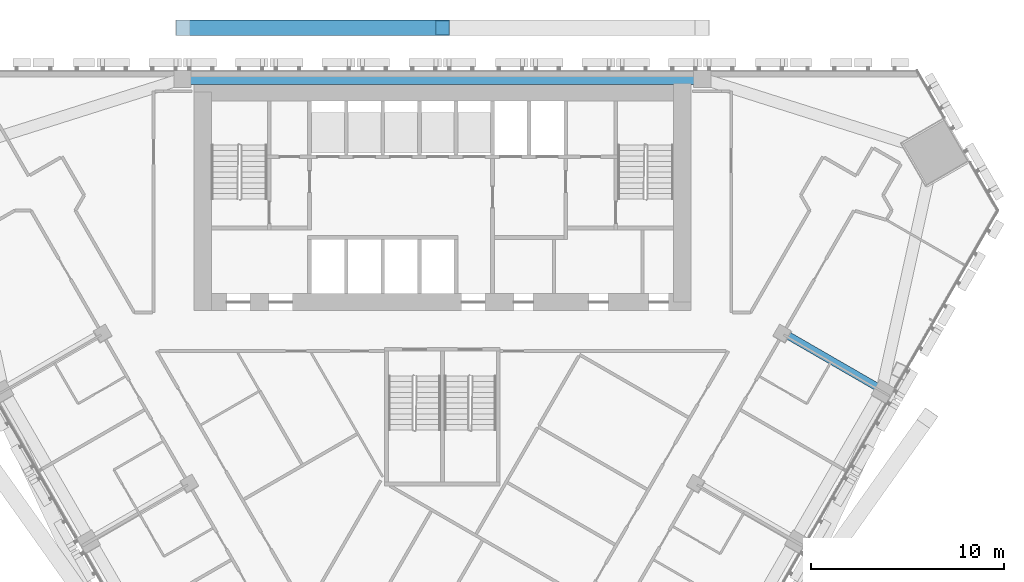
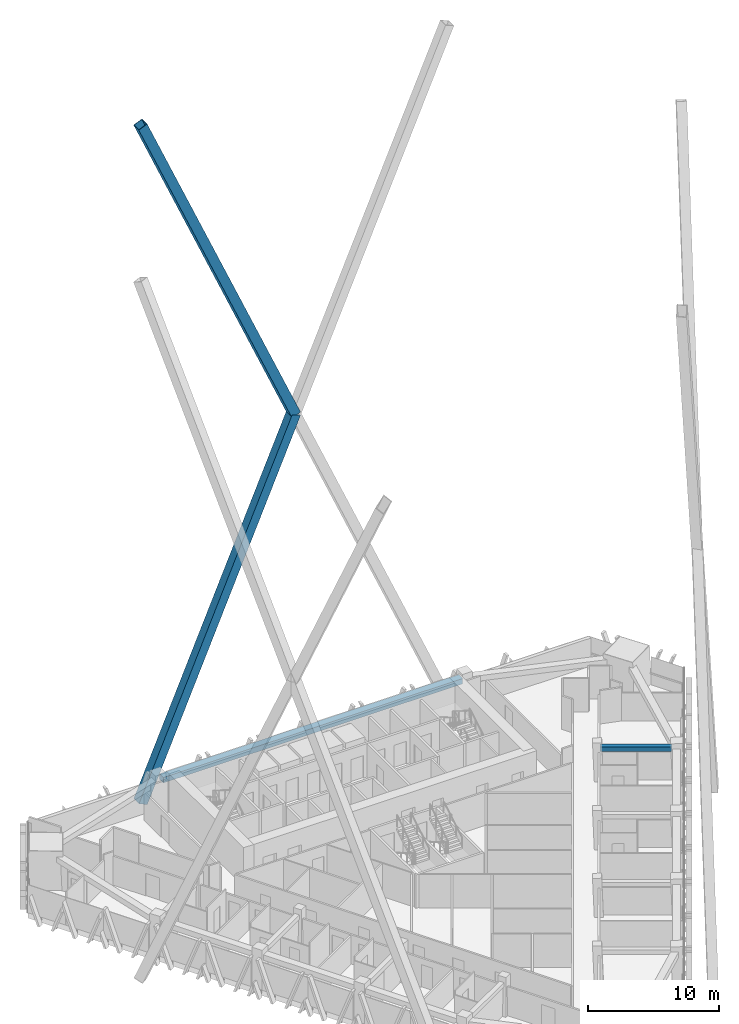
# One storey, part 13 of 23: 2 beams, 2 members.
"""IFC4 building model written with IfcOpenShell, lengths in metres."""

from ifc_helpers import new_model, si_unit, direction, frame, origin, origin_2d, place, context, subcontext, project, spatial, rectangle, hollow_rectangle, extrude, material, material_profile, profile_set, type_object, element, save


model = new_model("IFC4")

# Units and contexts
model_context = context("Model", 3, precision=1e-05, world=origin(), true_north=direction((0.0, 1.0)))
body_context = subcontext(model_context, "Body", "Model", "MODEL_VIEW")
ifc_project = project(units=[si_unit("LENGTHUNIT", "METRE"), si_unit("AREAUNIT", "SQUARE_METRE"), si_unit("VOLUMEUNIT", "CUBIC_METRE"), si_unit("PLANEANGLEUNIT", "RADIAN"), si_unit("MASSUNIT", "GRAM", prefix="KILO")], contexts=[model_context])

# Site, building, storey
site_placement = place(None, origin())
site = spatial("IfcSite", under=ifc_project, at=site_placement, CompositionType="ELEMENT")
building_placement = place(site_placement, origin())
building = spatial("IfcBuilding", under=site, at=building_placement, Name="Altiplano Prism Tower", CompositionType="ELEMENT")
storey_placement = place(building_placement, frame((0.0, 0.0, 100.800048828125)))
storey = spatial("IfcBuildingStorey", under=building, at=storey_placement, Name="L25", CompositionType="ELEMENT", Elevation=100.800048828125)

# Beam
ifc_material_1 = material(Name="Concrete C60/75", Category="concrete")
ifc_material_profile_1 = material_profile(ifc_material_1, rectangle(XDim=0.60009765625, YDim=0.5, at=origin_2d()), Name="Edge beam 600x500")
ifc_profile_set_1 = profile_set([ifc_material_profile_1], Name="Concrete C60/75")
beam_type_1 = type_object("IfcBeamType", Name="Edge beam 600x500", PredefinedType="SPANDREL", material=ifc_profile_set_1)
beam_1_placement = place(storey_placement, frame((98.169921875, 104.550048828125, 2.849853515625), z_axis=(-1.0, 0.0, 0.0), x_axis=(0.0, -1.0, 0.0)))
element("IfcBeam", 1, at=beam_1_placement, inside=storey, type_object=beam_type_1, Name="Edge beam P01-P04 L26", PredefinedType="SPANDREL", context=body_context, shape_type="SweptSolid", body=[
    extrude(rectangle(XDim=0.60009765625, YDim=0.5, at=origin_2d()), origin(), (0.0, 0.0, 1.0), 26.33984375),
])

# Members
ifc_material_2 = material(Name="Steel S355", Category="steel")
ifc_material_profile_2 = material_profile(ifc_material_2, hollow_rectangle(XDim=0.800048828125, YDim=0.800048828125, WallThickness=0.0400390625, at=origin_2d()), Name="Mega brace Box 800x800x40")
ifc_profile_set_2 = profile_set([ifc_material_profile_2], Name="Steel S355")
member_type = type_object("IfcMemberType", Name="Mega brace Box 800x800x40", PredefinedType="BRACE", material=ifc_profile_set_2)
member_1_placement = place(storey_placement, frame((85.0, 107.199951171875, 30.675048828125), z_axis=(-0.393656367662, 0.0, 0.919257670188), x_axis=(0.0, -1.0, 0.0)))
element("IfcMember", 2, at=member_1_placement, inside=storey, type_object=member_type, Name="Mega brace 3.0.2", PredefinedType="BRACE", context=body_context, shape_type="SweptSolid", body=[
    extrude(hollow_rectangle(XDim=0.800048828125, YDim=0.800048828125, WallThickness=0.0400390625, at=origin_2d()), origin(), (0.0, 0.0, 1.0), 34.2939453125),
])
member_2_placement = place(storey_placement, frame((71.515625, 107.199951171875, -0.813232421875), z_axis=(0.393657782631, 0.0, 0.91925706425), x_axis=(0.0, 1.0, 0.0)))
element("IfcMember", 3, at=member_2_placement, inside=storey, type_object=member_type, Name="Mega brace 3.0.3", PredefinedType="BRACE", context=body_context, shape_type="SweptSolid", body=[
    extrude(hollow_rectangle(XDim=0.800048828125, YDim=0.800048828125, WallThickness=0.0400390625, at=origin_2d()), origin(), (0.0, 0.0, 1.0), 34.254150390625),
])

# Beam
ifc_material_profile_3 = material_profile(ifc_material_1, rectangle(XDim=0.39990234375, YDim=0.39990234375, at=origin_2d()), Name="Tie beam 400x400")
ifc_profile_set_3 = profile_set([ifc_material_profile_3], Name="Concrete C60/75")
beam_type_2 = type_object("IfcBeamType", Name="Tie beam 400x400", PredefinedType="BEAM", material=ifc_profile_set_3)
beam_2_placement = place(storey_placement, frame((102.786865234375, 91.30517578125, 2.89990234375), z_axis=(0.866012292785, -0.50002270823, 0.0), x_axis=(0.50002270823, 0.866012292785, 0.0)))
element("IfcBeam", 4, at=beam_2_placement, inside=storey, type_object=beam_type_2, Name="Tie beam I24 L26", PredefinedType="BEAM", context=body_context, shape_type="SweptSolid", body=[
    extrude(rectangle(XDim=0.39990234375, YDim=0.39990234375, at=origin_2d()), origin(), (0.0, 0.0, 1.0), 5.489990234375),
])

save(model, "model.ifc")
